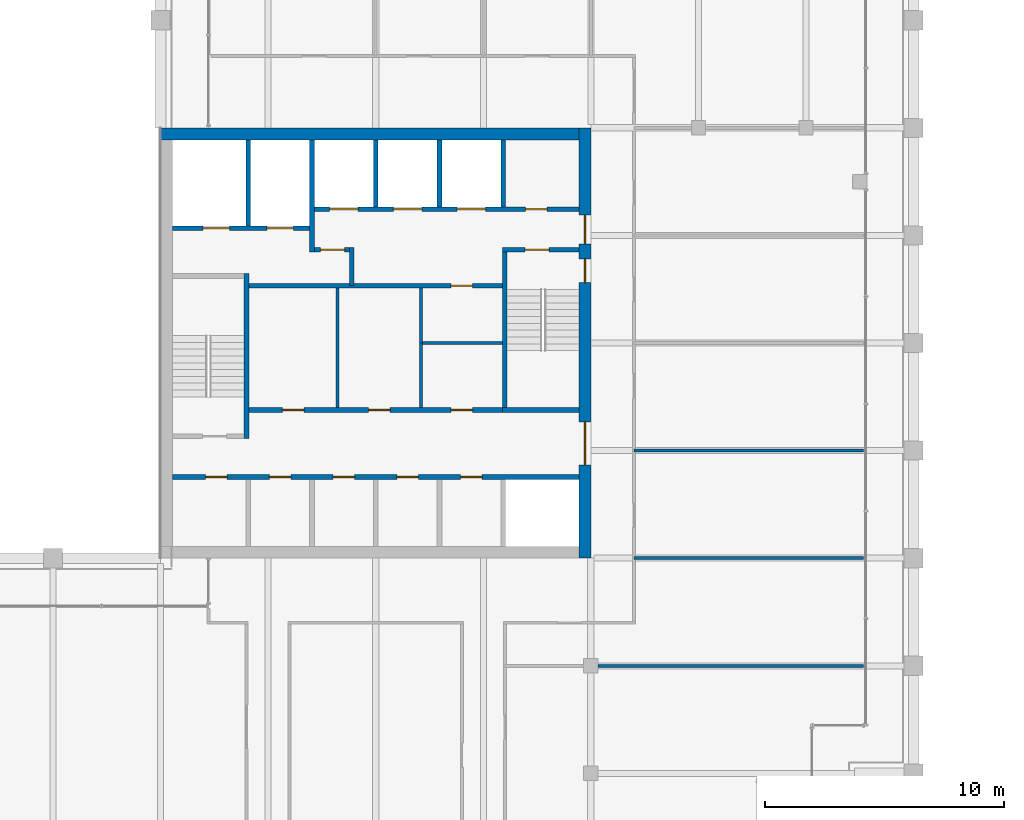
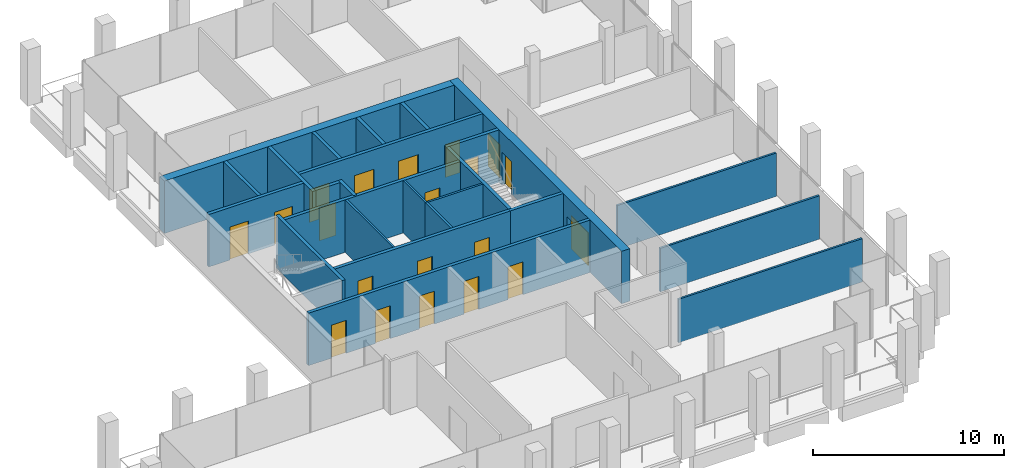
# One storey, part 36 of 41: 25 walls, 20 doors, 20 openings.
"""IFC4 building model written with IfcOpenShell, lengths in metres."""

from ifc_helpers import new_model, si_unit, direction, frame, frame_2d, origin, place, context, subcontext, project, spatial, rectangle, extrude, material, layer, layer_set, type_object, element, fill, save


model = new_model("IFC4")

# Units and contexts
model_context = context("Model", 3, precision=1e-05, world=origin(), true_north=direction((0.0, 1.0)))
body_context = subcontext(model_context, "Body", "Model", "MODEL_VIEW")
ifc_project = project(units=[si_unit("LENGTHUNIT", "METRE"), si_unit("AREAUNIT", "SQUARE_METRE"), si_unit("VOLUMEUNIT", "CUBIC_METRE"), si_unit("PLANEANGLEUNIT", "RADIAN"), si_unit("MASSUNIT", "GRAM", prefix="KILO")], contexts=[model_context])

# Site, building, storey
site_placement = place(None, origin())
site = spatial("IfcSite", under=ifc_project, at=site_placement, CompositionType="ELEMENT")
building_placement = place(site_placement, origin())
building = spatial("IfcBuilding", under=site, at=building_placement, Name="Altepetl Exchange Towers", CompositionType="ELEMENT")
storey_placement = place(building_placement, frame((0.0, 0.0, 206.39990234375)))
storey = spatial("IfcBuildingStorey", under=building, at=storey_placement, Name="L52", CompositionType="ELEMENT", Elevation=206.39990234375)

# Wall, openings, doors
ifc_material_1 = material(Name="Concrete C70/85", Category="concrete")
ifc_layer_1 = layer(ifc_material_1, 0.5)
ifc_layer_set_1 = layer_set([ifc_layer_1], Name="Concrete C70/85")
wall_type_1 = type_object("IfcWallType", Name="Core wall 500 reinforced concrete", PredefinedType="SHEAR", material=ifc_layer_set_1)
wall_1_placement = place(storey_placement, frame((58.25, 40.5, 0.0), z_axis=(0.0, 0.0, 1.0), x_axis=(0.0, 1.0, 0.0)))
wall_1 = element("IfcWall", 1, at=wall_1_placement, inside=storey, type_object=wall_type_1, Name="wall:A:L52:K-coreE", PredefinedType="SHEAR", context=body_context, shape_type="SweptSolid", body=[
    extrude(rectangle(XDim=18.0, YDim=0.5, at=frame_2d((9.0, 0.0))), origin(), (0.0, 0.0, 1.0), 3.35009765625),
])
opening_1_placement = place(wall_1_placement, frame((13.14990234375, 0.0, 0.0)))
opening_1 = element("IfcOpeningElement", 2, at=opening_1_placement, cuts=wall_1, Name="Opening L52.A60", PredefinedType="OPENING", context=body_context, shape_type="SweptSolid", body=[
    extrude(rectangle(XDim=1.199951171875, YDim=2.10009765625, at=frame_2d((0.60009765625, 1.050048828125))), frame((0.0, 0.260009765625, 0.0), z_axis=(0.0, -1.0, 0.0), x_axis=(1.0, 0.0, 0.0)), (0.0, 0.0, 1.0), 0.52001953125),
])
opening_2_placement = place(wall_1_placement, frame((3.89990234375, 0.0, 0.0)))
opening_2 = element("IfcOpeningElement", 3, at=opening_2_placement, cuts=wall_1, Name="Opening L52.A61", PredefinedType="OPENING", context=body_context, shape_type="SweptSolid", body=[
    extrude(rectangle(XDim=1.800048828125, YDim=2.10009765625, at=frame_2d((0.89990234375, 1.050048828125))), frame((0.0, 0.260009765625, 0.0), z_axis=(0.0, -1.0, 0.0), x_axis=(1.0, 0.0, 0.0)), (0.0, 0.0, 1.0), 0.52001953125),
])
opening_3_placement = place(wall_1_placement, frame((11.52490234375, 0.0, 0.0)))
opening_3 = element("IfcOpeningElement", 4, at=opening_3_placement, cuts=wall_1, Name="Opening L52.A64", PredefinedType="OPENING", context=body_context, shape_type="SweptSolid", body=[
    extrude(rectangle(XDim=1.0, YDim=2.10009765625, at=frame_2d((0.5, 1.050048828125))), frame((0.0, 0.260009765625, 0.0), z_axis=(0.0, -1.0, 0.0), x_axis=(1.0, 0.0, 0.0)), (0.0, 0.0, 1.0), 0.52001953125),
])
ifc_material_2 = material(Name="Steel and timber fire door", Category="steel")
door_type_1 = type_object("IfcDoorType", Name="Fire door 1000 x 2100 stair and lobby", OperationType="SINGLE_SWING_LEFT", PredefinedType="DOOR", material=ifc_material_2)
door_1_placement = place(opening_3_placement, origin())
door_1 = element("IfcDoor", 5, at=door_1_placement, inside=storey, type_object=door_type_1, Name="door:A:L52:K-dS2x", OperationType="SINGLE_SWING_RIGHT", OverallHeight=2.10009765625, OverallWidth=1.0, PredefinedType="DOOR", context=body_context, shape_type="SweptSolid", body=[
    extrude(rectangle(XDim=1.0, YDim=2.10009765625, at=frame_2d((0.5, 1.050048828125))), frame((0.0, 0.02490234375, 0.0), z_axis=(0.0, -1.0, 0.0), x_axis=(1.0, 0.0, 0.0)), (0.0, 0.0, 1.0), 0.050048828125),
])
fill(opening_3, door_1)
door_type_2 = type_object("IfcDoorType", Name="Fire door 1200 x 2100 lobby entry", OperationType="SINGLE_SWING_LEFT", PredefinedType="DOOR", material=ifc_material_2)
door_2_placement = place(opening_1_placement, origin())
door_2 = element("IfcDoor", 6, at=door_2_placement, inside=storey, type_object=door_type_2, Name="door:A:L52:K-dLNE", OperationType="SINGLE_SWING_RIGHT", OverallHeight=2.10009765625, OverallWidth=1.199951171875, PredefinedType="DOOR", context=body_context, shape_type="SweptSolid", body=[
    extrude(rectangle(XDim=1.199951171875, YDim=2.10009765625, at=frame_2d((0.60009765625, 1.050048828125))), frame((0.0, 0.02490234375, 0.0), z_axis=(0.0, -1.0, 0.0), x_axis=(1.0, 0.0, 0.0)), (0.0, 0.0, 1.0), 0.050048828125),
])
fill(opening_1, door_2)
door_type_3 = type_object("IfcDoorType", Name="Fire door 1800 x 2100 lobby entry", OperationType="DOUBLE_DOOR_SINGLE_SWING", PredefinedType="DOOR", material=ifc_material_2)
door_3_placement = place(opening_2_placement, origin())
door_3 = element("IfcDoor", 7, at=door_3_placement, inside=storey, type_object=door_type_3, Name="door:A:L52:K-dLSE", OperationType="DOUBLE_DOOR_SINGLE_SWING", OverallHeight=2.10009765625, OverallWidth=1.800048828125, PredefinedType="DOOR", context=body_context, shape_type="SweptSolid", body=[
    extrude(rectangle(XDim=1.800048828125, YDim=2.10009765625, at=frame_2d((0.89990234375, 1.050048828125))), frame((0.0, 0.02490234375, 0.0), z_axis=(0.0, -1.0, 0.0), x_axis=(1.0, 0.0, 0.0)), (0.0, 0.0, 1.0), 0.050048828125),
])
fill(opening_2, door_3)

# Walls
wall_2_placement = place(storey_placement, frame((40.5, 58.25, 0.0)))
element("IfcWall", 8, at=wall_2_placement, inside=storey, type_object=wall_type_1, Name="wall:A:L52:K-coreN", PredefinedType="SHEAR", context=body_context, shape_type="SweptSolid", body=[
    extrude(rectangle(XDim=17.5, YDim=0.5, at=frame_2d((8.75, 0.0))), origin(), (0.0, 0.0, 1.0), 3.35009765625),
])
ifc_material_3 = material(Name="Concrete blockwork", Category="masonry")
ifc_layer_2 = layer(ifc_material_3, 0.199951171875)
ifc_layer_set_2 = layer_set([ifc_layer_2], Name="Concrete blockwork")
wall_type_2 = type_object("IfcWallType", Name="Lobby wall 200 blockwork", PredefinedType="PARTITIONING", material=ifc_layer_set_2)
wall_3_placement = place(storey_placement, frame((48.5, 51.89990234375, 0.0), z_axis=(0.0, 0.0, 1.0), x_axis=(0.0, 1.0, 0.0)))
element("IfcWall", 9, at=wall_3_placement, inside=storey, type_object=wall_type_2, Name="wall:A:L52:K-ffE", PredefinedType="PARTITIONING", context=body_context, shape_type="SweptSolid", body=[
    extrude(rectangle(XDim=1.60009765625, YDim=0.199951171875, at=frame_2d((0.800048828125, 0.0))), origin(), (0.0, 0.0, 1.0), 3.35009765625),
])

# Wall, opening, door
wall_4_placement = place(storey_placement, frame((46.933349609375, 53.39990234375, 0.0)))
wall_4 = element("IfcWall", 10, at=wall_4_placement, inside=storey, type_object=wall_type_2, Name="wall:A:L52:K-ffN", PredefinedType="PARTITIONING", context=body_context, shape_type="SweptSolid", body=[
    extrude(rectangle(XDim=1.466552734375, YDim=0.199951171875, at=frame_2d((0.7333984375, 0.0))), origin(), (0.0, 0.0, 1.0), 3.35009765625),
])
opening_4_placement = place(wall_4_placement, frame((0.2666015625, 0.0, 0.0)))
opening_4 = element("IfcOpeningElement", 11, at=opening_4_placement, cuts=wall_4, Name="Opening L52.A65", PredefinedType="OPENING", context=body_context, shape_type="SweptSolid", body=[
    extrude(rectangle(XDim=1.0, YDim=2.10009765625, at=frame_2d((0.5, 1.050048828125))), frame((0.0, 0.10986328125, 0.0), z_axis=(0.0, -1.0, 0.0), x_axis=(1.0, 0.0, 0.0)), (0.0, 0.0, 1.0), 0.219970703125),
])
door_4_placement = place(opening_4_placement, frame((1.0, 0.0, 0.0), x_axis=(-1.0, 0.0, 0.0)))
door_4 = element("IfcDoor", 12, at=door_4_placement, inside=storey, type_object=door_type_1, Name="door:A:L52:K-dffN", OperationType="SINGLE_SWING_RIGHT", OverallHeight=2.10009765625, OverallWidth=1.0, PredefinedType="DOOR", context=body_context, shape_type="SweptSolid", body=[
    extrude(rectangle(XDim=1.0, YDim=2.10009765625, at=frame_2d((0.5, 1.050048828125))), frame((0.0, 0.02490234375, 0.0), z_axis=(0.0, -1.0, 0.0), x_axis=(1.0, 0.0, 0.0)), (0.0, 0.0, 1.0), 0.050048828125),
])
fill(opening_4, door_4)

wall_5_placement = place(storey_placement, frame((44.199951171875, 51.89990234375, 0.0)))
wall_5 = element("IfcWall", 13, at=wall_5_placement, inside=storey, type_object=wall_type_2, Name="wall:A:L52:K-zoneN", PredefinedType="PARTITIONING", context=body_context, shape_type="SweptSolid", body=[
    extrude(rectangle(XDim=10.60009765625, YDim=0.199951171875, at=frame_2d((5.300048828125, 0.0))), origin(), (0.0, 0.0, 1.0), 3.35009765625),
])
opening_5_placement = place(wall_5_placement, frame((8.449951171875, 0.0, 0.0)))
opening_5 = element("IfcOpeningElement", 14, at=opening_5_placement, cuts=wall_5, Name="Opening L52.A75", PredefinedType="OPENING", context=body_context, shape_type="SweptSolid", body=[
    extrude(rectangle(XDim=0.89990234375, YDim=2.10009765625, at=frame_2d((0.449951171875, 1.050048828125))), frame((0.0, 0.10986328125, 0.0), z_axis=(0.0, -1.0, 0.0), x_axis=(1.0, 0.0, 0.0)), (0.0, 0.0, 1.0), 0.219970703125),
])
door_type_4 = type_object("IfcDoorType", Name="Fire door 900 x 2100 service room", OperationType="SINGLE_SWING_LEFT", PredefinedType="DOOR", material=ifc_material_2)
door_5_placement = place(opening_5_placement, frame((0.89990234375, 0.0, 0.0), x_axis=(-1.0, 0.0, 0.0)))
door_5 = element("IfcDoor", 15, at=door_5_placement, inside=storey, type_object=door_type_4, Name="door:A:L52:K-dz4", OperationType="SINGLE_SWING_LEFT", OverallHeight=2.10009765625, OverallWidth=0.89990234375, PredefinedType="DOOR", context=body_context, shape_type="SweptSolid", body=[
    extrude(rectangle(XDim=0.89990234375, YDim=2.10009765625, at=frame_2d((0.449951171875, 1.050048828125))), frame((0.0, 0.02490234375, 0.0), z_axis=(0.0, -1.0, 0.0), x_axis=(1.0, 0.0, 0.0)), (0.0, 0.0, 1.0), 0.050048828125),
])
fill(opening_5, door_5)

# Wall, openings, doors
wall_6_placement = place(storey_placement, frame((44.199951171875, 46.699951171875, 0.0)))
wall_6 = element("IfcWall", 16, at=wall_6_placement, inside=storey, type_object=wall_type_2, Name="wall:A:L52:K-zoneS", PredefinedType="PARTITIONING", context=body_context, shape_type="SweptSolid", body=[
    extrude(rectangle(XDim=10.60009765625, YDim=0.199951171875, at=frame_2d((5.300048828125, 0.0))), origin(), (0.0, 0.0, 1.0), 3.35009765625),
])
opening_6_placement = place(wall_6_placement, frame((1.39990234375, 0.0, 0.0)))
opening_6 = element("IfcOpeningElement", 17, at=opening_6_placement, cuts=wall_6, Name="Opening L52.A72", PredefinedType="OPENING", context=body_context, shape_type="SweptSolid", body=[
    extrude(rectangle(XDim=0.89990234375, YDim=2.10009765625, at=frame_2d((0.449951171875, 1.050048828125))), frame((0.0, 0.10986328125, 0.0), z_axis=(0.0, -1.0, 0.0), x_axis=(1.0, 0.0, 0.0)), (0.0, 0.0, 1.0), 0.219970703125),
])
opening_7_placement = place(wall_6_placement, frame((5.0, 0.0, 0.0)))
opening_7 = element("IfcOpeningElement", 18, at=opening_7_placement, cuts=wall_6, Name="Opening L52.A73", PredefinedType="OPENING", context=body_context, shape_type="SweptSolid", body=[
    extrude(rectangle(XDim=0.89990234375, YDim=2.10009765625, at=frame_2d((0.449951171875, 1.050048828125))), frame((0.0, 0.10986328125, 0.0), z_axis=(0.0, -1.0, 0.0), x_axis=(1.0, 0.0, 0.0)), (0.0, 0.0, 1.0), 0.219970703125),
])
opening_8_placement = place(wall_6_placement, frame((8.449951171875, 0.0, 0.0)))
opening_8 = element("IfcOpeningElement", 19, at=opening_8_placement, cuts=wall_6, Name="Opening L52.A74", PredefinedType="OPENING", context=body_context, shape_type="SweptSolid", body=[
    extrude(rectangle(XDim=0.89990234375, YDim=2.10009765625, at=frame_2d((0.449951171875, 1.050048828125))), frame((0.0, 0.10986328125, 0.0), z_axis=(0.0, -1.0, 0.0), x_axis=(1.0, 0.0, 0.0)), (0.0, 0.0, 1.0), 0.219970703125),
])
door_6_placement = place(opening_6_placement, origin())
door_6 = element("IfcDoor", 20, at=door_6_placement, inside=storey, type_object=door_type_4, Name="door:A:L52:K-dz1", OperationType="SINGLE_SWING_LEFT", OverallHeight=2.10009765625, OverallWidth=0.89990234375, PredefinedType="DOOR", context=body_context, shape_type="SweptSolid", body=[
    extrude(rectangle(XDim=0.89990234375, YDim=2.10009765625, at=frame_2d((0.449951171875, 1.050048828125))), frame((0.0, 0.02490234375, 0.0), z_axis=(0.0, -1.0, 0.0), x_axis=(1.0, 0.0, 0.0)), (0.0, 0.0, 1.0), 0.050048828125),
])
fill(opening_6, door_6)
door_7_placement = place(opening_7_placement, origin())
door_7 = element("IfcDoor", 21, at=door_7_placement, inside=storey, type_object=door_type_4, Name="door:A:L52:K-dz2", OperationType="SINGLE_SWING_RIGHT", OverallHeight=2.10009765625, OverallWidth=0.89990234375, PredefinedType="DOOR", context=body_context, shape_type="SweptSolid", body=[
    extrude(rectangle(XDim=0.89990234375, YDim=2.10009765625, at=frame_2d((0.449951171875, 1.050048828125))), frame((0.0, 0.02490234375, 0.0), z_axis=(0.0, -1.0, 0.0), x_axis=(1.0, 0.0, 0.0)), (0.0, 0.0, 1.0), 0.050048828125),
])
fill(opening_7, door_7)
door_8_placement = place(opening_8_placement, origin())
door_8 = element("IfcDoor", 22, at=door_8_placement, inside=storey, type_object=door_type_4, Name="door:A:L52:K-dz3", OperationType="SINGLE_SWING_RIGHT", OverallHeight=2.10009765625, OverallWidth=0.89990234375, PredefinedType="DOOR", context=body_context, shape_type="SweptSolid", body=[
    extrude(rectangle(XDim=0.89990234375, YDim=2.10009765625, at=frame_2d((0.449951171875, 1.050048828125))), frame((0.0, 0.02490234375, 0.0), z_axis=(0.0, -1.0, 0.0), x_axis=(1.0, 0.0, 0.0)), (0.0, 0.0, 1.0), 0.050048828125),
])
fill(opening_8, door_8)

# Walls
ifc_material_4 = material(Name="Gypsum board on steel studs", Category="steel")
ifc_layer_3 = layer(ifc_material_4, 0.125)
ifc_layer_set_3 = layer_set([ifc_layer_3], Name="Gypsum board on steel studs")
wall_type_3 = type_object("IfcWallType", Name="Partition 125 gypsum board on steel studs", PredefinedType="PARTITIONING", material=ifc_layer_set_3)
wall_7_placement = place(storey_placement, frame((47.89990234375, 46.800048828125, 0.0), z_axis=(0.0, 0.0, 1.0), x_axis=(0.0, 1.0, 0.0)))
element("IfcWall", 23, at=wall_7_placement, inside=storey, type_object=wall_type_3, Name="wall:A:L52:K-zp1", PredefinedType="PARTITIONING", context=body_context, shape_type="SweptSolid", body=[
    extrude(rectangle(XDim=5.0, YDim=0.125, at=frame_2d((2.5, 0.0))), origin(), (0.0, 0.0, 1.0), 3.35009765625),
])
wall_8_placement = place(storey_placement, frame((51.39990234375, 46.800048828125, 0.0), z_axis=(0.0, 0.0, 1.0), x_axis=(0.0, 1.0, 0.0)))
element("IfcWall", 24, at=wall_8_placement, inside=storey, type_object=wall_type_3, Name="wall:A:L52:K-zp2", PredefinedType="PARTITIONING", context=body_context, shape_type="SweptSolid", body=[
    extrude(rectangle(XDim=2.762451171875, YDim=0.125, at=frame_2d((1.38134765625, 0.0))), origin(), (0.0, 0.0, 1.0), 3.35009765625),
])
wall_9_placement = place(storey_placement, frame((54.800048828125, 49.5, 0.0), z_axis=(0.0, 0.0, 1.0), x_axis=(-1.0, 0.0, 0.0)))
element("IfcWall", 25, at=wall_9_placement, inside=storey, type_object=wall_type_3, Name="wall:A:L52:K-zp3", PredefinedType="PARTITIONING", context=body_context, shape_type="SweptSolid", body=[
    extrude(rectangle(XDim=3.337646484375, YDim=0.125, at=frame_2d((1.6689453125, 0.0))), origin(), (0.0, 0.0, 1.0), 3.35009765625),
])
wall_10_placement = place(storey_placement, frame((51.39990234375, 49.5, 0.0), z_axis=(0.0, 0.0, 1.0), x_axis=(0.0, 1.0, 0.0)))
element("IfcWall", 26, at=wall_10_placement, inside=storey, type_object=wall_type_3, Name="wall:A:L52:K-zp4", PredefinedType="PARTITIONING", context=body_context, shape_type="SweptSolid", body=[
    extrude(rectangle(XDim=2.300048828125, YDim=0.125, at=frame_2d((1.14990234375, 0.0))), origin(), (0.0, 0.0, 1.0), 3.35009765625),
])
wall_11_placement = place(storey_placement, frame((58.800048828125, 36.0, 0.0)))
element("IfcWall", 27, at=wall_11_placement, inside=storey, type_object=wall_type_3, Name="wall:A:L52:P02", PredefinedType="PARTITIONING", context=body_context, shape_type="SweptSolid", body=[
    extrude(rectangle(XDim=11.099853515625, YDim=0.125, at=frame_2d((5.5498046875, 0.0))), origin(), (0.0, 0.0, 1.0), 2.772216796875),
])
for number, where, name in (
    (28, (60.300048828125, 40.5, 0.0), "wall:A:L52:P06"),
    (29, (60.300048828125, 45.0, 0.0), "wall:A:L52:P07"),
):
    element("IfcWall", number, at=place(storey_placement, frame(where)), inside=storey, type_object=wall_type_3, Name=name, PredefinedType="PARTITIONING", context=body_context, shape_type="SweptSolid", body=[
        extrude(rectangle(XDim=9.599853515625, YDim=0.125, at=frame_2d((4.7998046875, 0.0))), origin(), (0.0, 0.0, 1.0), 2.772216796875),
    ])
ifc_material_5 = material(Name="Concrete C40/50", Category="concrete")
ifc_layer_4 = layer(ifc_material_5, 0.199951171875)
ifc_layer_set_4 = layer_set([ifc_layer_4], Name="Concrete C40/50")
wall_type_4 = type_object("IfcWallType", Name="Shaft wall 200 reinforced concrete", PredefinedType="SHEAR", material=ifc_layer_set_4)
wall_12_placement = place(storey_placement, frame((44.166748046875, 58.0, 0.0), z_axis=(0.0, 0.0, 1.0), x_axis=(0.0, -1.0, 0.0)))
element("IfcWall", 30, at=wall_12_placement, inside=storey, type_object=wall_type_4, Name="wall:A:L52:K-divN1", PredefinedType="SHEAR", context=body_context, shape_type="SweptSolid", body=[
    extrude(rectangle(XDim=3.60009765625, YDim=0.199951171875, at=frame_2d((1.800048828125, 0.0))), origin(), (0.0, 0.0, 1.0), 3.35009765625),
])
wall_13_placement = place(storey_placement, frame((46.833251953125, 58.0, 0.0), z_axis=(0.0, 0.0, 1.0), x_axis=(0.0, -1.0, 0.0)))
element("IfcWall", 31, at=wall_13_placement, inside=storey, type_object=wall_type_4, Name="wall:A:L52:K-divN2", PredefinedType="SHEAR", context=body_context, shape_type="SweptSolid", body=[
    extrude(rectangle(XDim=4.699951171875, YDim=0.199951171875, at=frame_2d((2.35009765625, 0.0))), origin(), (0.0, 0.0, 1.0), 3.35009765625),
])
for number, where, z_axis, x_axis, name in (
    (32, (49.5, 58.0, 0.0), (0.0, 0.0, 1.0), (0.0, -1.0, 0.0), "wall:A:L52:K-divN3"),
    (33, (52.166748046875, 58.0, 0.0), (0.0, 0.0, 1.0), (0.0, -1.0, 0.0), "wall:A:L52:K-divN4"),
    (34, (54.833251953125, 58.0, 0.0), (0.0, 0.0, 1.0), (0.0, -1.0, 0.0), "wall:A:L52:K-divN5"),
):
    element("IfcWall", number, at=place(storey_placement, frame(where, z_axis=z_axis, x_axis=x_axis)), inside=storey, type_object=wall_type_4, Name=name, PredefinedType="SHEAR", context=body_context, shape_type="SweptSolid", body=[
        extrude(rectangle(XDim=2.800048828125, YDim=0.199951171875, at=frame_2d((1.39990234375, 0.0))), origin(), (0.0, 0.0, 1.0), 3.35009765625),
    ])

# Wall, openings, doors
wall_14_placement = place(storey_placement, frame((46.933349609375, 55.10009765625, 0.0)))
wall_14 = element("IfcWall", 35, at=wall_14_placement, inside=storey, type_object=wall_type_4, Name="wall:A:L52:K-frontNb", PredefinedType="SHEAR", context=body_context, shape_type="SweptSolid", body=[
    extrude(rectangle(XDim=11.066650390625, YDim=0.199951171875, at=frame_2d((5.533203125, 0.0))), origin(), (0.0, 0.0, 1.0), 3.35009765625),
])
opening_9_placement = place(wall_14_placement, frame((8.83349609375, 0.0, 0.0)))
opening_9 = element("IfcOpeningElement", 36, at=opening_9_placement, cuts=wall_14, Name="Opening L52.A66", PredefinedType="OPENING", context=body_context, shape_type="SweptSolid", body=[
    extrude(rectangle(XDim=0.89990234375, YDim=2.10009765625, at=frame_2d((0.449951171875, 1.050048828125))), frame((0.0, 0.10986328125, 0.0), z_axis=(0.0, -1.0, 0.0), x_axis=(1.0, 0.0, 0.0)), (0.0, 0.0, 1.0), 0.219970703125),
])
opening_10_placement = place(wall_14_placement, frame((0.63330078125, 0.0, 0.0)))
opening_10 = element("IfcOpeningElement", 37, at=opening_10_placement, cuts=wall_14, Name="Opening L52.A78", PredefinedType="OPENING", context=body_context, shape_type="SweptSolid", body=[
    extrude(rectangle(XDim=1.199951171875, YDim=2.10009765625, at=frame_2d((0.60009765625, 1.050048828125))), frame((0.0, 0.10986328125, 0.0), z_axis=(0.0, -1.0, 0.0), x_axis=(1.0, 0.0, 0.0)), (0.0, 0.0, 1.0), 0.219970703125),
])
opening_11_placement = place(wall_14_placement, frame((3.300048828125, 0.0, 0.0)))
opening_11 = element("IfcOpeningElement", 38, at=opening_11_placement, cuts=wall_14, Name="Opening L52.A79", PredefinedType="OPENING", context=body_context, shape_type="SweptSolid", body=[
    extrude(rectangle(XDim=1.199951171875, YDim=2.10009765625, at=frame_2d((0.60009765625, 1.050048828125))), frame((0.0, 0.10986328125, 0.0), z_axis=(0.0, -1.0, 0.0), x_axis=(1.0, 0.0, 0.0)), (0.0, 0.0, 1.0), 0.219970703125),
])
opening_12_placement = place(wall_14_placement, frame((5.966796875, 0.0, 0.0)))
opening_12 = element("IfcOpeningElement", 39, at=opening_12_placement, cuts=wall_14, Name="Opening L52.A80", PredefinedType="OPENING", context=body_context, shape_type="SweptSolid", body=[
    extrude(rectangle(XDim=1.199951171875, YDim=2.10009765625, at=frame_2d((0.60009765625, 1.050048828125))), frame((0.0, 0.10986328125, 0.0), z_axis=(0.0, -1.0, 0.0), x_axis=(1.0, 0.0, 0.0)), (0.0, 0.0, 1.0), 0.219970703125),
])
door_9_placement = place(opening_9_placement, origin())
door_9 = element("IfcDoor", 40, at=door_9_placement, inside=storey, type_object=door_type_4, Name="door:A:L52:K-driser", OperationType="SINGLE_SWING_RIGHT", OverallHeight=2.10009765625, OverallWidth=0.89990234375, PredefinedType="DOOR", context=body_context, shape_type="SweptSolid", body=[
    extrude(rectangle(XDim=0.89990234375, YDim=2.10009765625, at=frame_2d((0.449951171875, 1.050048828125))), frame((0.0, 0.02490234375, 0.0), z_axis=(0.0, -1.0, 0.0), x_axis=(1.0, 0.0, 0.0)), (0.0, 0.0, 1.0), 0.050048828125),
])
fill(opening_9, door_9)
ifc_material_6 = material(Name="Stainless steel", Category="steel")
door_type_5 = type_object("IfcDoorType", Name="Lift landing door 1200 x 2100", OperationType="SLIDING_TO_LEFT", PredefinedType="DOOR", material=ifc_material_6)
door_10_placement = place(opening_10_placement, origin())
door_10 = element("IfcDoor", 41, at=door_10_placement, inside=storey, type_object=door_type_5, Name="Landing door P5", OperationType="SLIDING_TO_LEFT", OverallHeight=2.10009765625, OverallWidth=1.199951171875, PredefinedType="DOOR", context=body_context, shape_type="SweptSolid", body=[
    extrude(rectangle(XDim=1.199951171875, YDim=2.10009765625, at=frame_2d((0.60009765625, 1.050048828125))), frame((0.0, 0.02490234375, 0.0), z_axis=(0.0, -1.0, 0.0), x_axis=(1.0, 0.0, 0.0)), (0.0, 0.0, 1.0), 0.050048828125),
])
fill(opening_10, door_10)
door_11_placement = place(opening_11_placement, origin())
door_11 = element("IfcDoor", 42, at=door_11_placement, inside=storey, type_object=door_type_5, Name="Landing door P6", OperationType="SLIDING_TO_LEFT", OverallHeight=2.10009765625, OverallWidth=1.199951171875, PredefinedType="DOOR", context=body_context, shape_type="SweptSolid", body=[
    extrude(rectangle(XDim=1.199951171875, YDim=2.10009765625, at=frame_2d((0.60009765625, 1.050048828125))), frame((0.0, 0.02490234375, 0.0), z_axis=(0.0, -1.0, 0.0), x_axis=(1.0, 0.0, 0.0)), (0.0, 0.0, 1.0), 0.050048828125),
])
fill(opening_11, door_11)
door_12_placement = place(opening_12_placement, origin())
door_12 = element("IfcDoor", 43, at=door_12_placement, inside=storey, type_object=door_type_5, Name="Landing door P7", OperationType="SLIDING_TO_LEFT", OverallHeight=2.10009765625, OverallWidth=1.199951171875, PredefinedType="DOOR", context=body_context, shape_type="SweptSolid", body=[
    extrude(rectangle(XDim=1.199951171875, YDim=2.10009765625, at=frame_2d((0.60009765625, 1.050048828125))), frame((0.0, 0.02490234375, 0.0), z_axis=(0.0, -1.0, 0.0), x_axis=(1.0, 0.0, 0.0)), (0.0, 0.0, 1.0), 0.050048828125),
])
fill(opening_12, door_12)

wall_15_placement = place(storey_placement, frame((41.0, 54.300048828125, 0.0)))
wall_15 = element("IfcWall", 44, at=wall_15_placement, inside=storey, type_object=wall_type_4, Name="wall:A:L52:K-frontNd", PredefinedType="SHEAR", context=body_context, shape_type="SweptSolid", body=[
    extrude(rectangle(XDim=5.7333984375, YDim=0.199951171875, at=frame_2d((2.86669921875, 0.0))), origin(), (0.0, 0.0, 1.0), 3.35009765625),
])
opening_13_placement = place(wall_15_placement, frame((1.283203125, 0.0, 0.0)))
opening_13 = element("IfcOpeningElement", 45, at=opening_13_placement, cuts=wall_15, Name="Opening L52.A76", PredefinedType="OPENING", context=body_context, shape_type="SweptSolid", body=[
    extrude(rectangle(XDim=1.10009765625, YDim=2.10009765625, at=frame_2d((0.550048828125, 1.050048828125))), frame((0.0, 0.10986328125, 0.0), z_axis=(0.0, -1.0, 0.0), x_axis=(1.0, 0.0, 0.0)), (0.0, 0.0, 1.0), 0.219970703125),
])
opening_14_placement = place(wall_15_placement, frame((3.949951171875, 0.0, 0.0)))
opening_14 = element("IfcOpeningElement", 46, at=opening_14_placement, cuts=wall_15, Name="Opening L52.A77", PredefinedType="OPENING", context=body_context, shape_type="SweptSolid", body=[
    extrude(rectangle(XDim=1.10009765625, YDim=2.10009765625, at=frame_2d((0.550048828125, 1.050048828125))), frame((0.0, 0.10986328125, 0.0), z_axis=(0.0, -1.0, 0.0), x_axis=(1.0, 0.0, 0.0)), (0.0, 0.0, 1.0), 0.219970703125),
])
door_type_6 = type_object("IfcDoorType", Name="Lift landing door 1100 x 2100", OperationType="SLIDING_TO_LEFT", PredefinedType="DOOR", material=ifc_material_6)
door_13_placement = place(opening_13_placement, origin())
door_13 = element("IfcDoor", 47, at=door_13_placement, inside=storey, type_object=door_type_6, Name="Landing door FFL1", OperationType="SLIDING_TO_LEFT", OverallHeight=2.10009765625, OverallWidth=1.10009765625, PredefinedType="DOOR", context=body_context, shape_type="SweptSolid", body=[
    extrude(rectangle(XDim=1.10009765625, YDim=2.10009765625, at=frame_2d((0.550048828125, 1.050048828125))), frame((0.0, 0.02490234375, 0.0), z_axis=(0.0, -1.0, 0.0), x_axis=(1.0, 0.0, 0.0)), (0.0, 0.0, 1.0), 0.050048828125),
])
fill(opening_13, door_13)
door_14_placement = place(opening_14_placement, origin())
door_14 = element("IfcDoor", 48, at=door_14_placement, inside=storey, type_object=door_type_6, Name="Landing door FFL2", OperationType="SLIDING_TO_LEFT", OverallHeight=2.10009765625, OverallWidth=1.10009765625, PredefinedType="DOOR", context=body_context, shape_type="SweptSolid", body=[
    extrude(rectangle(XDim=1.10009765625, YDim=2.10009765625, at=frame_2d((0.550048828125, 1.050048828125))), frame((0.0, 0.02490234375, 0.0), z_axis=(0.0, -1.0, 0.0), x_axis=(1.0, 0.0, 0.0)), (0.0, 0.0, 1.0), 0.050048828125),
])
fill(opening_14, door_14)

wall_16_placement = place(storey_placement, frame((41.0, 43.89990234375, 0.0)))
wall_16 = element("IfcWall", 49, at=wall_16_placement, inside=storey, type_object=wall_type_4, Name="wall:A:L52:K-frontS", PredefinedType="SHEAR", context=body_context, shape_type="SweptSolid", body=[
    extrude(rectangle(XDim=17.0, YDim=0.199951171875, at=frame_2d((8.5, 0.0))), origin(), (0.0, 0.0, 1.0), 3.35009765625),
])
opening_15_placement = place(wall_16_placement, frame((1.38330078125, 0.0, 0.0)))
opening_15 = element("IfcOpeningElement", 50, at=opening_15_placement, cuts=wall_16, Name="Opening L52.A67", PredefinedType="OPENING", context=body_context, shape_type="SweptSolid", body=[
    extrude(rectangle(XDim=0.89990234375, YDim=2.10009765625, at=frame_2d((0.449951171875, 1.050048828125))), frame((0.0, 0.10986328125, 0.0), z_axis=(0.0, -1.0, 0.0), x_axis=(1.0, 0.0, 0.0)), (0.0, 0.0, 1.0), 0.219970703125),
])
opening_16_placement = place(wall_16_placement, frame((4.050048828125, 0.0, 0.0)))
opening_16 = element("IfcOpeningElement", 51, at=opening_16_placement, cuts=wall_16, Name="Opening L52.A68", PredefinedType="OPENING", context=body_context, shape_type="SweptSolid", body=[
    extrude(rectangle(XDim=0.89990234375, YDim=2.10009765625, at=frame_2d((0.449951171875, 1.050048828125))), frame((0.0, 0.10986328125, 0.0), z_axis=(0.0, -1.0, 0.0), x_axis=(1.0, 0.0, 0.0)), (0.0, 0.0, 1.0), 0.219970703125),
])
opening_17_placement = place(wall_16_placement, frame((6.716796875, 0.0, 0.0)))
opening_17 = element("IfcOpeningElement", 52, at=opening_17_placement, cuts=wall_16, Name="Opening L52.A69", PredefinedType="OPENING", context=body_context, shape_type="SweptSolid", body=[
    extrude(rectangle(XDim=0.89990234375, YDim=2.10009765625, at=frame_2d((0.449951171875, 1.050048828125))), frame((0.0, 0.10986328125, 0.0), z_axis=(0.0, -1.0, 0.0), x_axis=(1.0, 0.0, 0.0)), (0.0, 0.0, 1.0), 0.219970703125),
])
opening_18_placement = place(wall_16_placement, frame((9.38330078125, 0.0, 0.0)))
opening_18 = element("IfcOpeningElement", 53, at=opening_18_placement, cuts=wall_16, Name="Opening L52.A70", PredefinedType="OPENING", context=body_context, shape_type="SweptSolid", body=[
    extrude(rectangle(XDim=0.89990234375, YDim=2.10009765625, at=frame_2d((0.449951171875, 1.050048828125))), frame((0.0, 0.10986328125, 0.0), z_axis=(0.0, -1.0, 0.0), x_axis=(1.0, 0.0, 0.0)), (0.0, 0.0, 1.0), 0.219970703125),
])
opening_19_placement = place(wall_16_placement, frame((12.050048828125, 0.0, 0.0)))
opening_19 = element("IfcOpeningElement", 54, at=opening_19_placement, cuts=wall_16, Name="Opening L52.A71", PredefinedType="OPENING", context=body_context, shape_type="SweptSolid", body=[
    extrude(rectangle(XDim=0.89990234375, YDim=2.10009765625, at=frame_2d((0.449951171875, 1.050048828125))), frame((0.0, 0.10986328125, 0.0), z_axis=(0.0, -1.0, 0.0), x_axis=(1.0, 0.0, 0.0)), (0.0, 0.0, 1.0), 0.219970703125),
])
door_15_placement = place(opening_15_placement, frame((0.89990234375, 0.0, 0.0), x_axis=(-1.0, 0.0, 0.0)))
door_15 = element("IfcDoor", 55, at=door_15_placement, inside=storey, type_object=door_type_4, Name="door:A:L52:K-dslotS0", OperationType="SINGLE_SWING_LEFT", OverallHeight=2.10009765625, OverallWidth=0.89990234375, PredefinedType="DOOR", context=body_context, shape_type="SweptSolid", body=[
    extrude(rectangle(XDim=0.89990234375, YDim=2.10009765625, at=frame_2d((0.449951171875, 1.050048828125))), frame((0.0, 0.02490234375, 0.0), z_axis=(0.0, -1.0, 0.0), x_axis=(1.0, 0.0, 0.0)), (0.0, 0.0, 1.0), 0.050048828125),
])
fill(opening_15, door_15)
door_16_placement = place(opening_16_placement, frame((0.89990234375, 0.0, 0.0), x_axis=(-1.0, 0.0, 0.0)))
door_16 = element("IfcDoor", 56, at=door_16_placement, inside=storey, type_object=door_type_4, Name="door:A:L52:K-dslotS1", OperationType="SINGLE_SWING_LEFT", OverallHeight=2.10009765625, OverallWidth=0.89990234375, PredefinedType="DOOR", context=body_context, shape_type="SweptSolid", body=[
    extrude(rectangle(XDim=0.89990234375, YDim=2.10009765625, at=frame_2d((0.449951171875, 1.050048828125))), frame((0.0, 0.02490234375, 0.0), z_axis=(0.0, -1.0, 0.0), x_axis=(1.0, 0.0, 0.0)), (0.0, 0.0, 1.0), 0.050048828125),
])
fill(opening_16, door_16)
door_17_placement = place(opening_17_placement, frame((0.89990234375, 0.0, 0.0), x_axis=(-1.0, 0.0, 0.0)))
door_17 = element("IfcDoor", 57, at=door_17_placement, inside=storey, type_object=door_type_4, Name="door:A:L52:K-dslotS2", OperationType="SINGLE_SWING_LEFT", OverallHeight=2.10009765625, OverallWidth=0.89990234375, PredefinedType="DOOR", context=body_context, shape_type="SweptSolid", body=[
    extrude(rectangle(XDim=0.89990234375, YDim=2.10009765625, at=frame_2d((0.449951171875, 1.050048828125))), frame((0.0, 0.02490234375, 0.0), z_axis=(0.0, -1.0, 0.0), x_axis=(1.0, 0.0, 0.0)), (0.0, 0.0, 1.0), 0.050048828125),
])
fill(opening_17, door_17)
door_18_placement = place(opening_18_placement, frame((0.89990234375, 0.0, 0.0), x_axis=(-1.0, 0.0, 0.0)))
door_18 = element("IfcDoor", 58, at=door_18_placement, inside=storey, type_object=door_type_4, Name="door:A:L52:K-dslotS3", OperationType="SINGLE_SWING_LEFT", OverallHeight=2.10009765625, OverallWidth=0.89990234375, PredefinedType="DOOR", context=body_context, shape_type="SweptSolid", body=[
    extrude(rectangle(XDim=0.89990234375, YDim=2.10009765625, at=frame_2d((0.449951171875, 1.050048828125))), frame((0.0, 0.02490234375, 0.0), z_axis=(0.0, -1.0, 0.0), x_axis=(1.0, 0.0, 0.0)), (0.0, 0.0, 1.0), 0.050048828125),
])
fill(opening_18, door_18)
door_19_placement = place(opening_19_placement, frame((0.89990234375, 0.0, 0.0), x_axis=(-1.0, 0.0, 0.0)))
door_19 = element("IfcDoor", 59, at=door_19_placement, inside=storey, type_object=door_type_4, Name="door:A:L52:K-dslotS4", OperationType="SINGLE_SWING_LEFT", OverallHeight=2.10009765625, OverallWidth=0.89990234375, PredefinedType="DOOR", context=body_context, shape_type="SweptSolid", body=[
    extrude(rectangle(XDim=0.89990234375, YDim=2.10009765625, at=frame_2d((0.449951171875, 1.050048828125))), frame((0.0, 0.02490234375, 0.0), z_axis=(0.0, -1.0, 0.0), x_axis=(1.0, 0.0, 0.0)), (0.0, 0.0, 1.0), 0.050048828125),
])
fill(opening_19, door_19)

# Wall
ifc_layer_5 = layer(ifc_material_5, 0.199951171875)
ifc_layer_set_5 = layer_set([ifc_layer_5], Name="Concrete C40/50")
wall_type_5 = type_object("IfcWallType", Name="Stair wall 200 reinforced concrete", PredefinedType="SHEAR", material=ifc_layer_set_5)
wall_17_placement = place(storey_placement, frame((44.10009765625, 45.5, 0.0), z_axis=(0.0, 0.0, 1.0), x_axis=(0.0, 1.0, 0.0)))
element("IfcWall", 60, at=wall_17_placement, inside=storey, type_object=wall_type_5, Name="wall:A:L52:K-stS1E", PredefinedType="SHEAR", context=body_context, shape_type="SweptSolid", body=[
    extrude(rectangle(XDim=6.89990234375, YDim=0.199951171875, at=frame_2d((3.449951171875, 0.0))), origin(), (0.0, 0.0, 1.0), 3.35009765625),
])

# Wall, opening, door
wall_18_placement = place(storey_placement, frame((54.800048828125, 53.39990234375, 0.0)))
wall_18 = element("IfcWall", 61, at=wall_18_placement, inside=storey, type_object=wall_type_5, Name="wall:A:L52:K-stS2N", PredefinedType="SHEAR", context=body_context, shape_type="SweptSolid", body=[
    extrude(rectangle(XDim=3.199951171875, YDim=0.199951171875, at=frame_2d((1.60009765625, 0.0))), origin(), (0.0, 0.0, 1.0), 3.35009765625),
])
opening_20_placement = place(wall_18_placement, frame((0.949951171875, 0.0, 0.0)))
opening_20 = element("IfcOpeningElement", 62, at=opening_20_placement, cuts=wall_18, Name="Opening L52.A63", PredefinedType="OPENING", context=body_context, shape_type="SweptSolid", body=[
    extrude(rectangle(XDim=1.0, YDim=2.10009765625, at=frame_2d((0.5, 1.050048828125))), frame((0.0, 0.10986328125, 0.0), z_axis=(0.0, -1.0, 0.0), x_axis=(1.0, 0.0, 0.0)), (0.0, 0.0, 1.0), 0.219970703125),
])
door_20_placement = place(opening_20_placement, frame((1.0, 0.0, 0.0), x_axis=(-1.0, 0.0, 0.0)))
door_20 = element("IfcDoor", 63, at=door_20_placement, inside=storey, type_object=door_type_1, Name="door:A:L52:K-dS2in", OperationType="SINGLE_SWING_LEFT", OverallHeight=2.10009765625, OverallWidth=1.0, PredefinedType="DOOR", context=body_context, shape_type="SweptSolid", body=[
    extrude(rectangle(XDim=1.0, YDim=2.10009765625, at=frame_2d((0.5, 1.050048828125))), frame((0.0, 0.02490234375, 0.0), z_axis=(0.0, -1.0, 0.0), x_axis=(1.0, 0.0, 0.0)), (0.0, 0.0, 1.0), 0.050048828125),
])
fill(opening_20, door_20)

# Walls
wall_19_placement = place(storey_placement, frame((54.800048828125, 46.699951171875, 0.0)))
element("IfcWall", 64, at=wall_19_placement, inside=storey, type_object=wall_type_5, Name="wall:A:L52:K-stS2S", PredefinedType="SHEAR", context=body_context, shape_type="SweptSolid", body=[
    extrude(rectangle(XDim=3.199951171875, YDim=0.199951171875, at=frame_2d((1.60009765625, 0.0))), origin(), (0.0, 0.0, 1.0), 3.35009765625),
])
wall_20_placement = place(storey_placement, frame((54.89990234375, 46.800048828125, 0.0), z_axis=(0.0, 0.0, 1.0), x_axis=(0.0, 1.0, 0.0)))
element("IfcWall", 65, at=wall_20_placement, inside=storey, type_object=wall_type_5, Name="wall:A:L52:K-stS2W", PredefinedType="SHEAR", context=body_context, shape_type="SweptSolid", body=[
    extrude(rectangle(XDim=6.5, YDim=0.199951171875, at=frame_2d((3.25, 0.0))), origin(), (0.0, 0.0, 1.0), 3.35009765625),
])

save(model, "model.ifc")
